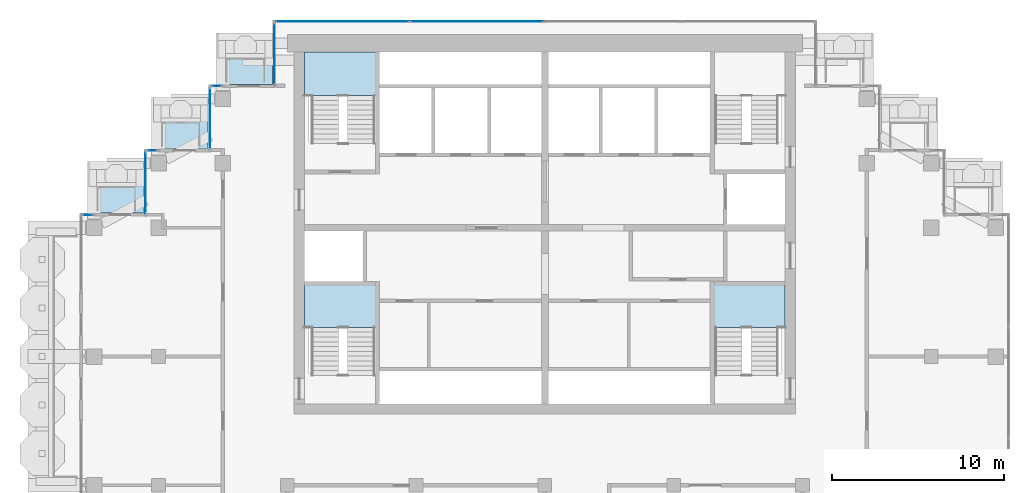
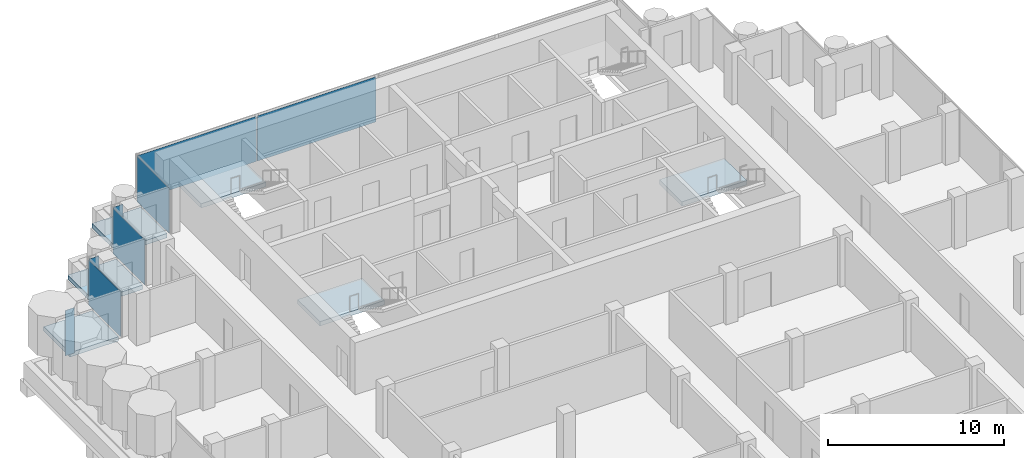
# One storey, part 9 of 18: 8 plates, 6 slabs, 10 elements without a shape of their own.
"""IFC4 building model written with IfcOpenShell, lengths in metres."""

from ifc_helpers import new_model, si_unit, direction, frame, origin, origin_2d, place, context, subcontext, project, spatial, polyline, rectangle, outline, extrude, material, layer, layer_set, type_object, element, aggregate, save


model = new_model("IFC4")

# Units and contexts
model_context = context("Model", 3, precision=1e-05, world=origin(), true_north=direction((0.0, 1.0)))
body_context = subcontext(model_context, "Body", "Model", "MODEL_VIEW")
ifc_project = project(units=[si_unit("LENGTHUNIT", "METRE"), si_unit("AREAUNIT", "SQUARE_METRE"), si_unit("VOLUMEUNIT", "CUBIC_METRE"), si_unit("PLANEANGLEUNIT", "RADIAN"), si_unit("MASSUNIT", "GRAM", prefix="KILO")], contexts=[model_context])

# Site, building, storey
site_placement = place(None, origin())
site = spatial("IfcSite", under=ifc_project, at=site_placement, CompositionType="ELEMENT")
building_placement = place(site_placement, origin())
building = spatial("IfcBuilding", under=site, at=building_placement, Name="Pilkhan Gate Tower", CompositionType="ELEMENT")
storey_placement = place(building_placement, frame((0.0, 0.0, 228.300048828125)))
storey = spatial("IfcBuildingStorey", under=building, at=storey_placement, Name="L59", CompositionType="ELEMENT", Elevation=228.300048828125)

# Slabs
ifc_material_1 = material(Name="Concrete C60/75", Category="concrete")
ifc_layer_1 = layer(ifc_material_1, 0.300048828125)
ifc_layer_set_1 = layer_set([ifc_layer_1], Name="Balcony tray slab TR300")
slab_type_1 = type_object("IfcSlabType", Name="Balcony tray slab TR300", PredefinedType="FLOOR", material=ifc_layer_set_1)
slab_1_placement = place(storey_placement, frame((0.0, 0.0, -0.300048828125)))
element("IfcSlab", 1, at=slab_1_placement, inside=storey, type_object=slab_type_1, Name="Balcony tray L59 N", PredefinedType="FLOOR", context=body_context, shape_type="SweptSolid", body=[
    extrude(outline(polyline([(59.14990234375, 90.85009765625), (59.14990234375, 93.85009765625), (55.949951171875, 93.85009765625), (55.949951171875, 90.85009765625), (59.14990234375, 90.85009765625)])), origin(), (0.0, 0.0, 1.0), 0.300048828125),
])
slab_2_placement = place(storey_placement, frame((0.0, 0.0, -0.300048828125)))
element("IfcSlab", 2, at=slab_2_placement, inside=storey, type_object=slab_type_1, Name="Balcony tray L59 N", PredefinedType="FLOOR", context=body_context, shape_type="SweptSolid", body=[
    extrude(outline(polyline([(55.3798828125, 87.1201171875), (55.3798828125, 90.10009765625), (52.199951171875, 90.10009765625), (52.199951171875, 87.1201171875), (55.3798828125, 87.1201171875)])), origin(), (0.0, 0.0, 1.0), 0.300048828125),
])
slab_3_placement = place(storey_placement, frame((0.0, 0.0, -0.300048828125)))
element("IfcSlab", 3, at=slab_3_placement, inside=storey, type_object=slab_type_1, Name="Balcony tray L59 N", PredefinedType="FLOOR", context=body_context, shape_type="SweptSolid", body=[
    extrude(outline(polyline([(51.6298828125, 83.3701171875), (51.6298828125, 86.35009765625), (48.449951171875, 86.35009765625), (48.449951171875, 83.3701171875), (51.6298828125, 83.3701171875)])), origin(), (0.0, 0.0, 1.0), 0.300048828125),
])

# Curtain wall, plates
ifc_material_2 = material(Name="Pale anodised aluminium, clear low-iron double glazing", Category="aluminium")
curtain_wall_type = type_object("IfcCurtainWallType", Name="Office unitised curtain wall CW-O2", PredefinedType="USERDEFINED", material=ifc_material_2)
curtain_wall_1_placement = place(storey_placement, origin())
curtain_wall_1 = element("IfcCurtainWall", 4, at=curtain_wall_1_placement, inside=storey, type_object=curtain_wall_type, Name="Office unitised curtain wall CW-O2 L59 N", ObjectType="UNITISED CURTAIN WALL", PredefinedType="USERDEFINED")
ifc_material_3 = material(Name="Clear low-iron double glazing", Category="glass")
ifc_layer_2 = layer(ifc_material_3, 0.031982421875)
ifc_layer_set_2 = layer_set([ifc_layer_2], Name="Glass panel CW-O2 32")
plate_type = type_object("IfcPlateType", Name="Glass panel CW-O2 32", PredefinedType="CURTAIN_PANEL", material=ifc_layer_set_2)
plate_1_placement = place(storey_placement, frame((63.203857421875, 94.5, 0.0), z_axis=(0.0, 0.0, 1.0), x_axis=(1.0, 0.0, 0.0)))
plate_1 = element("IfcPlate", 5, at=plate_1_placement, type_object=plate_type, Name="CW-O2 panel 1", PredefinedType="CURTAIN_PANEL", context=body_context, shape_type="SweptSolid", body=[
    extrude(rectangle(XDim=7.777587890625, YDim=0.031982421875, at=origin_2d()), origin(), (0.0, 0.0, 1.0), 3.135009765625),
])
plate_2_placement = place(storey_placement, frame((71.046142578125, 94.5, 0.0), z_axis=(0.0, 0.0, 1.0), x_axis=(1.0, 0.0, 0.0)))
plate_2 = element("IfcPlate", 6, at=plate_2_placement, type_object=plate_type, Name="CW-O2 panel 2", PredefinedType="CURTAIN_PANEL", context=body_context, shape_type="SweptSolid", body=[
    extrude(rectangle(XDim=7.777587890625, YDim=0.031982421875, at=origin_2d()), origin(), (0.0, 0.0, 1.0), 3.135009765625),
])
aggregate(curtain_wall_1, [plate_1, plate_2])

# Curtain wall, plate
curtain_wall_2_placement = place(storey_placement, origin())
curtain_wall_2 = element("IfcCurtainWall", 7, at=curtain_wall_2_placement, inside=storey, type_object=curtain_wall_type, Name="Office unitised curtain wall CW-O2 L59 W", ObjectType="UNITISED CURTAIN WALL", PredefinedType="USERDEFINED")
plate_3_placement = place(storey_placement, frame((59.25, 92.625, 0.0), z_axis=(0.0, 0.0, 1.0), x_axis=(0.0, 1.0, 0.0)))
plate_3 = element("IfcPlate", 8, at=plate_3_placement, type_object=plate_type, Name="CW-O2 panel 1", PredefinedType="CURTAIN_PANEL", context=body_context, shape_type="SweptSolid", body=[
    extrude(rectangle(XDim=3.6201171875, YDim=0.031982421875, at=origin_2d()), origin(), (0.0, 0.0, 1.0), 3.135009765625),
])
aggregate(curtain_wall_2, [plate_3])

curtain_wall_3_placement = place(storey_placement, origin())
curtain_wall_3 = element("IfcCurtainWall", 9, at=curtain_wall_3_placement, inside=storey, type_object=curtain_wall_type, Name="Office unitised curtain wall CW-O2 L59 N", ObjectType="UNITISED CURTAIN WALL", PredefinedType="USERDEFINED")
plate_4_placement = place(storey_placement, frame((55.875, 90.75, 0.0), z_axis=(0.0, 0.0, 1.0), x_axis=(1.0, 0.0, 0.0)))
plate_4 = element("IfcPlate", 10, at=plate_4_placement, type_object=plate_type, Name="CW-O2 panel 1", PredefinedType="CURTAIN_PANEL", context=body_context, shape_type="SweptSolid", body=[
    extrude(rectangle(XDim=0.6201171875, YDim=0.031982421875, at=origin_2d()), origin(), (0.0, 0.0, 1.0), 3.135009765625),
])
aggregate(curtain_wall_3, [plate_4])

curtain_wall_4_placement = place(storey_placement, origin())
curtain_wall_4 = element("IfcCurtainWall", 11, at=curtain_wall_4_placement, inside=storey, type_object=curtain_wall_type, Name="Office unitised curtain wall CW-O2 L59 W", ObjectType="UNITISED CURTAIN WALL", PredefinedType="USERDEFINED")
plate_5_placement = place(storey_placement, frame((55.5, 88.875, 0.0), z_axis=(0.0, 0.0, 1.0), x_axis=(0.0, 1.0, 0.0)))
plate_5 = element("IfcPlate", 12, at=plate_5_placement, type_object=plate_type, Name="CW-O2 panel 1", PredefinedType="CURTAIN_PANEL", context=body_context, shape_type="SweptSolid", body=[
    extrude(rectangle(XDim=3.6201171875, YDim=0.031982421875, at=origin_2d()), origin(), (0.0, 0.0, 1.0), 3.135009765625),
])
aggregate(curtain_wall_4, [plate_5])

curtain_wall_5_placement = place(storey_placement, origin())
curtain_wall_5 = element("IfcCurtainWall", 13, at=curtain_wall_5_placement, inside=storey, type_object=curtain_wall_type, Name="Office unitised curtain wall CW-O2 L59 N", ObjectType="UNITISED CURTAIN WALL", PredefinedType="USERDEFINED")
plate_6_placement = place(storey_placement, frame((52.125, 87.0, 0.0), z_axis=(0.0, 0.0, 1.0), x_axis=(1.0, 0.0, 0.0)))
plate_6 = element("IfcPlate", 14, at=plate_6_placement, type_object=plate_type, Name="CW-O2 panel 1", PredefinedType="CURTAIN_PANEL", context=body_context, shape_type="SweptSolid", body=[
    extrude(rectangle(XDim=0.6201171875, YDim=0.031982421875, at=origin_2d()), origin(), (0.0, 0.0, 1.0), 3.135009765625),
])
aggregate(curtain_wall_5, [plate_6])

curtain_wall_6_placement = place(storey_placement, origin())
curtain_wall_6 = element("IfcCurtainWall", 15, at=curtain_wall_6_placement, inside=storey, type_object=curtain_wall_type, Name="Office unitised curtain wall CW-O2 L59 W", ObjectType="UNITISED CURTAIN WALL", PredefinedType="USERDEFINED")
plate_7_placement = place(storey_placement, frame((51.75, 85.125, 0.0), z_axis=(0.0, 0.0, 1.0), x_axis=(0.0, 1.0, 0.0)))
plate_7 = element("IfcPlate", 16, at=plate_7_placement, type_object=plate_type, Name="CW-O2 panel 1", PredefinedType="CURTAIN_PANEL", context=body_context, shape_type="SweptSolid", body=[
    extrude(rectangle(XDim=3.6201171875, YDim=0.031982421875, at=origin_2d()), origin(), (0.0, 0.0, 1.0), 3.135009765625),
])
aggregate(curtain_wall_6, [plate_7])

curtain_wall_7_placement = place(storey_placement, origin())
curtain_wall_7 = element("IfcCurtainWall", 17, at=curtain_wall_7_placement, inside=storey, type_object=curtain_wall_type, Name="Office unitised curtain wall CW-O2 L59 N", ObjectType="UNITISED CURTAIN WALL", PredefinedType="USERDEFINED")
plate_8_placement = place(storey_placement, frame((48.375, 83.25, 0.0), z_axis=(0.0, 0.0, 1.0), x_axis=(1.0, 0.0, 0.0)))
plate_8 = element("IfcPlate", 18, at=plate_8_placement, type_object=plate_type, Name="CW-O2 panel 1", PredefinedType="CURTAIN_PANEL", context=body_context, shape_type="SweptSolid", body=[
    extrude(rectangle(XDim=0.6201171875, YDim=0.031982421875, at=origin_2d()), origin(), (0.0, 0.0, 1.0), 3.135009765625),
])
aggregate(curtain_wall_7, [plate_8])

# Stair, slab
ifc_material_4 = material(Name="Concrete C40/50 precast", Category="concrete")
stair_type_1 = type_object("IfcStairType", Name="Stair ST1 164x280", PredefinedType="HALF_TURN_STAIR", material=ifc_material_4)
stair_1_placement = place(storey_placement, origin())
stair_1 = element("IfcStair", 19, at=stair_1_placement, inside=storey, type_object=stair_type_1, Name="Stair ST1 L59", PredefinedType="HALF_TURN_STAIR")
ifc_material_5 = material(Name="Concrete C40/50", Category="concrete")
ifc_layer_3 = layer(ifc_material_5, 0.199951171875)
ifc_layer_set_3 = layer_set([ifc_layer_3], Name="Stair landing SL200")
slab_type_2 = type_object("IfcSlabType", Name="Stair landing SL200", PredefinedType="LANDING", material=ifc_layer_set_3)
slab_4_placement = place(storey_placement, frame((0.0, 0.0, 1.5)))
slab_4 = element("IfcSlab", 20, at=slab_4_placement, type_object=slab_type_2, Name="ST1 landing 1", PredefinedType="LANDING", context=body_context, shape_type="SweptSolid", body=[
    extrude(outline(polyline([(89.0, 76.699951171875), (89.0, 79.25), (84.75, 79.25), (84.75, 76.699951171875), (89.0, 76.699951171875)])), origin(), (0.0, 0.0, 1.0), 0.300048828125),
])
aggregate(stair_1, [slab_4])

stair_type_2 = type_object("IfcStairType", Name="Stair ST2 164x280", PredefinedType="HALF_TURN_STAIR", material=ifc_material_4)
stair_2_placement = place(storey_placement, origin())
stair_2 = element("IfcStair", 21, at=stair_2_placement, inside=storey, type_object=stair_type_2, Name="Stair ST2 L59", PredefinedType="HALF_TURN_STAIR")
slab_5_placement = place(storey_placement, frame((0.0, 0.0, 1.5)))
slab_5 = element("IfcSlab", 22, at=slab_5_placement, type_object=slab_type_2, Name="ST2 landing 1", PredefinedType="LANDING", context=body_context, shape_type="SweptSolid", body=[
    extrude(outline(polyline([(65.25, 76.699951171875), (65.25, 79.25), (61.0, 79.25), (61.0, 76.699951171875), (65.25, 76.699951171875)])), origin(), (0.0, 0.0, 1.0), 0.300048828125),
])
aggregate(stair_2, [slab_5])

stair_type_3 = type_object("IfcStairType", Name="Stair ST3 164x280", PredefinedType="HALF_TURN_STAIR", material=ifc_material_4)
stair_3_placement = place(storey_placement, origin())
stair_3 = element("IfcStair", 23, at=stair_3_placement, inside=storey, type_object=stair_type_3, Name="Stair ST3 L59", PredefinedType="HALF_TURN_STAIR")
slab_6_placement = place(storey_placement, frame((0.0, 0.0, 1.5)))
slab_6 = element("IfcSlab", 24, at=slab_6_placement, type_object=slab_type_2, Name="ST3 landing 1", PredefinedType="LANDING", context=body_context, shape_type="SweptSolid", body=[
    extrude(outline(polyline([(65.25, 90.199951171875), (65.25, 92.75), (61.0, 92.75), (61.0, 90.199951171875), (65.25, 90.199951171875)])), origin(), (0.0, 0.0, 1.0), 0.300048828125),
])
aggregate(stair_3, [slab_6])

save(model, "model.ifc")
